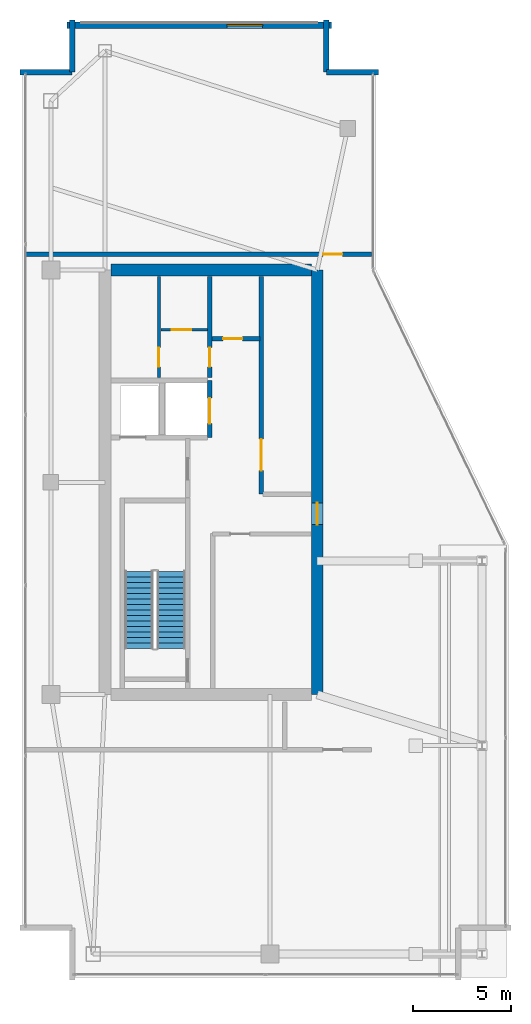
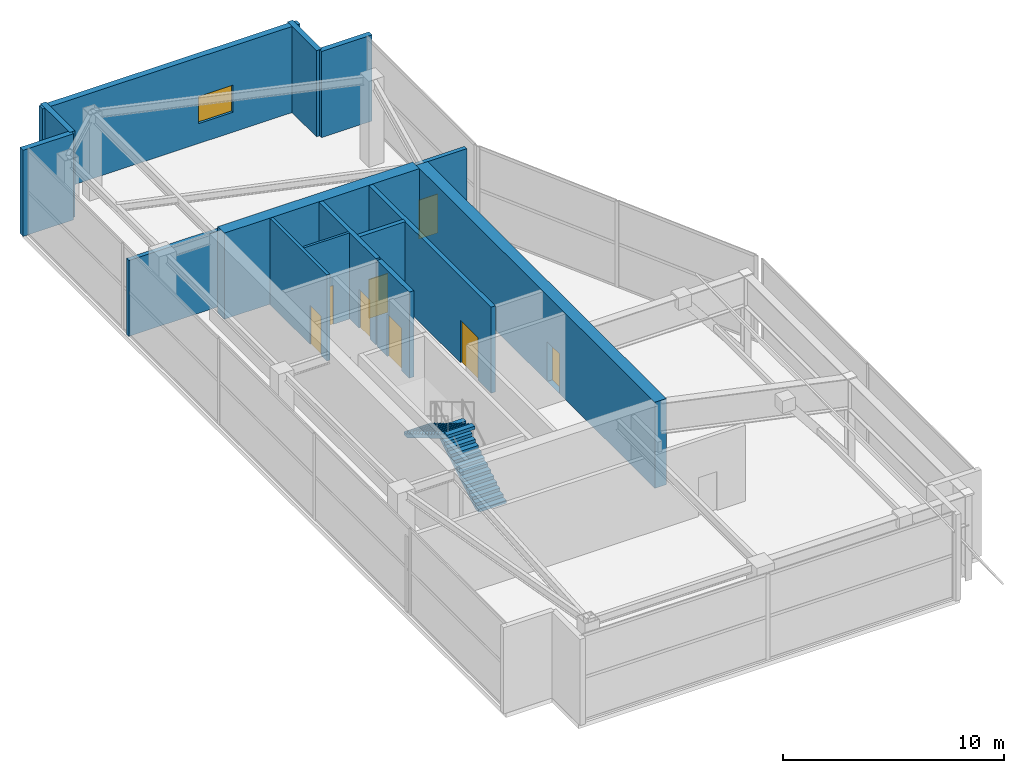
# One storey, part 18 of 20: 14 walls, 8 doors, 2 stair flights, 1 window, 9 openings, 1 element without a shape of its own.
"""IFC4 building model written with IfcOpenShell, lengths in metres."""

from ifc_helpers import new_model, si_unit, direction, frame, frame_2d, origin, place, context, subcontext, project, spatial, polyline, rectangle, outline, extrude, material, layer, layer_set, type_object, element, fill, aggregate, save


model = new_model("IFC4")

# Units and contexts
model_context = context("Model", 3, precision=1e-05, world=origin(), true_north=direction((0.0, 1.0)))
body_context = subcontext(model_context, "Body", "Model", "MODEL_VIEW")
ifc_project = project(units=[si_unit("LENGTHUNIT", "METRE"), si_unit("AREAUNIT", "SQUARE_METRE"), si_unit("VOLUMEUNIT", "CUBIC_METRE"), si_unit("PLANEANGLEUNIT", "RADIAN"), si_unit("MASSUNIT", "GRAM", prefix="KILO")], contexts=[model_context])

# Site, building, storey
site_placement = place(None, origin())
site = spatial("IfcSite", under=ifc_project, at=site_placement, CompositionType="ELEMENT")
building_placement = place(site_placement, origin())
building = spatial("IfcBuilding", under=site, at=building_placement, Name="Calvorn Quay Hotel", CompositionType="ELEMENT")
storey_placement = place(building_placement, frame((0.0, 0.0, 335.5)))
storey = spatial("IfcBuildingStorey", under=building, at=storey_placement, Name="L82", CompositionType="ELEMENT", Elevation=335.5)

# Wall, opening, door
ifc_material_1 = material(Name="Concrete C45", Category="concrete")
ifc_layer_1 = layer(ifc_material_1, 0.60009765625)
ifc_layer_set_1 = layer_set([ifc_layer_1], Name="WL-CORE-600")
wall_type_1 = type_object("IfcWallType", Name="WL-CORE-600", PredefinedType="SHEAR", material=ifc_layer_set_1)
wall_1_placement = place(storey_placement, frame((15.0, 16.800048828125, 0.0), z_axis=(0.0, 0.0, 1.0), x_axis=(0.0, 1.0, 0.0)))
wall_1 = element("IfcWall", 1, at=wall_1_placement, inside=storey, type_object=wall_type_1, Name="West Core Shear Wall E (L82)", PredefinedType="SHEAR", context=body_context, shape_type="SweptSolid", body=[
    extrude(rectangle(XDim=21.599853515625, YDim=0.60009765625, at=frame_2d((10.7998046875, 0.0))), origin(), (0.0, 0.0, 1.0), 4.760009765625),
])
opening_1_placement = place(wall_1_placement, frame((8.64990234375, 0.0, 0.0)))
opening_1 = element("IfcOpeningElement", 2, at=opening_1_placement, cuts=wall_1, Name="Opening D-L82-CW1", PredefinedType="OPENING", context=body_context, shape_type="SweptSolid", body=[
    extrude(rectangle(XDim=1.10009765625, YDim=2.199951171875, at=frame_2d((0.550048828125, 1.10009765625))), frame((0.0, 0.31005859375, 0.0), z_axis=(0.0, -1.0, 0.0), x_axis=(1.0, 0.0, 0.0)), (0.0, 0.0, 1.0), 0.6201171875),
])
ifc_material_2 = material(Name="Smoke-Sealed Steel Class A Fire Door", Category="steel")
door_type_1 = type_object("IfcDoorType", Name="DR-FFLOBBY-1100", OperationType="NOTDEFINED", PredefinedType="DOOR", material=ifc_material_2)
door_1_placement = place(opening_1_placement, origin())
door_1 = element("IfcDoor", 3, at=door_1_placement, inside=storey, type_object=door_type_1, Name="West Core Vestibule Fire Door (L82)", OperationType="SINGLE_SWING_LEFT", OverallHeight=2.199951171875, OverallWidth=1.10009765625, PredefinedType="DOOR", context=body_context, shape_type="SweptSolid", body=[
    extrude(rectangle(XDim=1.10009765625, YDim=2.199951171875, at=frame_2d((0.550048828125, 1.10009765625))), frame((0.0, 0.02490234375, 0.0), z_axis=(0.0, -1.0, 0.0), x_axis=(1.0, 0.0, 0.0)), (0.0, 0.0, 1.0), 0.050048828125),
])
fill(opening_1, door_1)

# Wall
wall_2_placement = place(storey_placement, frame((4.5, 38.39990234375, 0.0), z_axis=(0.0, 0.0, 1.0), x_axis=(1.0, 0.0, 0.0)))
element("IfcWall", 4, at=wall_2_placement, inside=storey, type_object=wall_type_1, Name="West Core Shear Wall N (L82)", PredefinedType="SHEAR", context=body_context, shape_type="SweptSolid", body=[
    extrude(rectangle(XDim=10.199951171875, YDim=0.60009765625, at=frame_2d((5.10009765625, 0.0))), origin(), (0.0, 0.0, 1.0), 4.760009765625),
])

# Wall, opening, door
ifc_material_3 = material(Name="Moisture-Resistant Tile-Backed Partition")
ifc_layer_2 = layer(ifc_material_3, 0.125)
ifc_layer_set_2 = layer_set([ifc_layer_2], Name="WL-ENSUITE-125")
wall_type_2 = type_object("IfcWallType", Name="WL-ENSUITE-125", PredefinedType="PARTITIONING", material=ifc_layer_set_2)
wall_3_placement = place(storey_placement, frame((7.050048828125, 35.35009765625, 0.0), z_axis=(0.0, 0.0, 1.0), x_axis=(1.0, 0.0, 0.0)))
wall_3 = element("IfcWall", 5, at=wall_3_placement, inside=storey, type_object=wall_type_2, Name="Partition Wall L82-WL-CWW-K-H", PredefinedType="PARTITIONING", context=body_context, shape_type="SweptSolid", body=[
    extrude(rectangle(XDim=2.369873046875, YDim=0.125, at=frame_2d((1.18505859375, 0.0))), origin(), (0.0, 0.0, 1.0), 4.760009765625),
])
opening_2_placement = place(wall_3_placement, frame((0.550048828125, 0.0, 0.0)))
opening_2 = element("IfcOpeningElement", 6, at=opening_2_placement, cuts=wall_3, Name="Opening D-L82-CK3", PredefinedType="OPENING", context=body_context, shape_type="SweptSolid", body=[
    extrude(rectangle(XDim=0.97998046875, YDim=2.14990234375, at=frame_2d((0.489990234375, 1.074951171875))), frame((0.0, 0.072509765625, 0.0), z_axis=(0.0, -1.0, 0.0), x_axis=(1.0, 0.0, 0.0)), (0.0, 0.0, 1.0), 0.14501953125),
])
ifc_material_4 = material(Name="Painted Steel Housekeeping/Riser Fire Door", Category="steel")
door_type_2 = type_object("IfcDoorType", Name="DR-SERVICE-980", OperationType="NOTDEFINED", PredefinedType="DOOR", material=ifc_material_4)
door_2_placement = place(opening_2_placement, origin())
door_2 = element("IfcDoor", 7, at=door_2_placement, inside=storey, type_object=door_type_2, Name="Telecom Closet Door (L82)", OperationType="SINGLE_SWING_RIGHT", OverallHeight=2.14990234375, OverallWidth=0.97998046875, PredefinedType="DOOR", context=body_context, shape_type="SweptSolid", body=[
    extrude(rectangle(XDim=0.97998046875, YDim=2.14990234375, at=frame_2d((0.489990234375, 1.074951171875))), frame((0.0, 0.02490234375, 0.0), z_axis=(0.0, -1.0, 0.0), x_axis=(1.0, 0.0, 0.0)), (0.0, 0.0, 1.0), 0.050048828125),
])
fill(opening_2, door_2)

# Walls
ifc_material_5 = material(Name="Concrete C40", Category="concrete")
ifc_layer_3 = layer(ifc_material_5, 0.320068359375)
ifc_layer_set_3 = layer_set([ifc_layer_3], Name="WL-EXT-SPANDREL-320")
wall_type_3 = type_object("IfcWallType", Name="WL-EXT-SPANDREL-320", PredefinedType="SOLIDWALL", material=ifc_layer_set_3)
for number, where, z_axis, x_axis, name in (
    (8, (18.1201171875, 48.449951171875, 0.0), (0.0, 0.0, 1.0), (-1.0, 0.0, 0.0), "Crown Notched Corner Spandrel L82-C5"),
    (9, (15.449951171875, 48.47998046875, 0.0), (0.0, 0.0, 1.0), (0.0, 1.0, 0.0), "Crown Notched Corner Spandrel L82-C6"),
):
    element("IfcWall", number, at=place(storey_placement, frame(where, z_axis=z_axis, x_axis=x_axis)), inside=storey, type_object=wall_type_3, Name=name, PredefinedType="SOLIDWALL", context=body_context, shape_type="SweptSolid", body=[
        extrude(rectangle(XDim=2.64013671875, YDim=0.280029296875, at=frame_2d((1.320068359375, 0.0))), origin(), (0.0, 0.0, 1.0), 4.760009765625),
    ])

# Wall, opening, window
wall_4_placement = place(storey_placement, frame((15.719970703125, 50.85009765625, 0.0), z_axis=(0.0, 0.0, 1.0), x_axis=(-1.0, 0.0, 0.0)))
wall_4 = element("IfcWall", 10, at=wall_4_placement, inside=storey, type_object=wall_type_3, Name="Crown North Louvred Plant Wall (L82)", PredefinedType="SOLIDWALL", context=body_context, shape_type="SweptSolid", body=[
    extrude(rectangle(XDim=13.43994140625, YDim=0.320068359375, at=frame_2d((6.719970703125, 0.0))), origin(), (0.0, 0.0, 1.0), 4.760009765625),
])
opening_3_placement = place(wall_4_placement, frame((3.5, 0.0, 1.10009765625)))
opening_3 = element("IfcOpeningElement", 11, at=opening_3_placement, cuts=wall_4, Name="Opening WPL-L82-1", PredefinedType="OPENING", context=body_context, shape_type="SweptSolid", body=[
    extrude(rectangle(XDim=1.800048828125, YDim=1.5, at=frame_2d((0.89990234375, 0.75))), frame((0.0, 0.169921875, 0.0), z_axis=(0.0, -1.0, 0.0), x_axis=(1.0, 0.0, 0.0)), (0.0, 0.0, 1.0), 0.340087890625),
])
ifc_material_6 = material(Name="Acoustic Weatherproof Aluminium Louvre Unit", Category="aluminium")
window_type = type_object("IfcWindowType", Name="WIN-PLANT-LOUVRE-1800x1500", PartitioningType="SINGLE_PANEL", PredefinedType="WINDOW", material=ifc_material_6)
window_placement = place(opening_3_placement, origin())
window = element("IfcWindow", 12, at=window_placement, inside=storey, type_object=window_type, Name="Crown Plant Acoustic Louvre (L82)", OverallHeight=1.5, OverallWidth=1.800048828125, PartitioningType="SINGLE_PANEL", PredefinedType="WINDOW", context=body_context, shape_type="SweptSolid", body=[
    extrude(rectangle(XDim=1.800048828125, YDim=1.5, at=frame_2d((0.89990234375, 0.75))), frame((0.0, 0.030029296875, 0.0), z_axis=(0.0, -1.0, 0.0), x_axis=(1.0, 0.0, 0.0)), (0.0, 0.0, 1.0), 0.06005859375),
])
fill(opening_3, window)

# Walls
for number, where, z_axis, x_axis, name in (
    (13, (2.550048828125, 51.1201171875, 0.0), (0.0, 0.0, 1.0), (0.0, -1.0, 0.0), "Crown Notched Corner Spandrel L82-C7"),
    (14, (2.52001953125, 48.449951171875, 0.0), (0.0, 0.0, 1.0), (-1.0, 0.0, 0.0), "Crown Notched Corner Spandrel L82-C8"),
):
    element("IfcWall", number, at=place(storey_placement, frame(where, z_axis=z_axis, x_axis=x_axis)), inside=storey, type_object=wall_type_3, Name=name, PredefinedType="SOLIDWALL", context=body_context, shape_type="SweptSolid", body=[
        extrude(rectangle(XDim=2.64013671875, YDim=0.280029296875, at=frame_2d((1.320068359375, 0.0))), origin(), (0.0, 0.0, 1.0), 4.760009765625),
    ])

# Wall, opening, door
ifc_material_7 = material(Name="Double-Stud Acoustic Gypsum Partition")
ifc_layer_4 = layer(ifc_material_7, 0.159912109375)
ifc_layer_set_4 = layer_set([ifc_layer_4], Name="WL-INTERSUITE-160")
wall_type_4 = type_object("IfcWallType", Name="WL-INTERSUITE-160", PredefinedType="PARTITIONING", material=ifc_layer_set_4)
wall_5_placement = place(storey_placement, frame((6.949951171875, 32.919921875, 0.0), z_axis=(0.0, 0.0, 1.0), x_axis=(0.0, 1.0, 0.0)))
wall_5 = element("IfcWall", 15, at=wall_5_placement, inside=storey, type_object=wall_type_4, Name="Partition Wall L82-WL-CWW-K-V", PredefinedType="PARTITIONING", context=body_context, shape_type="SweptSolid", body=[
    extrude(rectangle(XDim=5.16015625, YDim=0.159912109375, at=frame_2d((2.580078125, 0.0))), origin(), (0.0, 0.0, 1.0), 4.760009765625),
])
opening_4_placement = place(wall_5_placement, frame((0.550048828125, 0.0, 0.0)))
opening_4 = element("IfcOpeningElement", 16, at=opening_4_placement, cuts=wall_5, Name="Opening D-L82-CK1", PredefinedType="OPENING", context=body_context, shape_type="SweptSolid", body=[
    extrude(rectangle(XDim=0.97998046875, YDim=2.14990234375, at=frame_2d((0.489990234375, 1.074951171875))), frame((0.0, 0.08984375, 0.0), z_axis=(0.0, -1.0, 0.0), x_axis=(1.0, 0.0, 0.0)), (0.0, 0.0, 1.0), 0.179931640625),
])
door_3_placement = place(opening_4_placement, origin())
door_3 = element("IfcDoor", 17, at=door_3_placement, inside=storey, type_object=door_type_2, Name="Pipe Riser Door (L82)", OperationType="SINGLE_SWING_LEFT", OverallHeight=2.14990234375, OverallWidth=0.97998046875, PredefinedType="DOOR", context=body_context, shape_type="SweptSolid", body=[
    extrude(rectangle(XDim=0.97998046875, YDim=2.14990234375, at=frame_2d((0.489990234375, 1.074951171875))), frame((0.0, 0.02490234375, 0.0), z_axis=(0.0, -1.0, 0.0), x_axis=(1.0, 0.0, 0.0)), (0.0, 0.0, 1.0), 0.050048828125),
])
fill(opening_4, door_3)

ifc_material_8 = material(Name="Autoclaved Aerated Masonry Block", Category="masonry")
ifc_layer_5 = layer(ifc_material_8, 0.219970703125)
ifc_layer_set_5 = layer_set([ifc_layer_5], Name="WL-LOBBY-FIRE-220")
wall_type_5 = type_object("IfcWallType", Name="WL-LOBBY-FIRE-220", PredefinedType="SOLIDWALL", material=ifc_layer_set_5)
wall_6_placement = place(storey_placement, frame((9.5400390625, 32.919921875, 0.0), z_axis=(0.0, 0.0, 1.0), x_axis=(0.0, 1.0, 0.0)))
wall_6 = element("IfcWall", 18, at=wall_6_placement, inside=storey, type_object=wall_type_5, Name="Partition Wall L82-WL-CWW-K-E", PredefinedType="SOLIDWALL", context=body_context, shape_type="SweptSolid", body=[
    extrude(rectangle(XDim=5.16015625, YDim=0.219970703125, at=frame_2d((2.580078125, 0.0))), origin(), (0.0, 0.0, 1.0), 4.760009765625),
])
opening_5_placement = place(wall_6_placement, frame((0.550048828125, 0.0, 0.0)))
opening_5 = element("IfcOpeningElement", 19, at=opening_5_placement, cuts=wall_6, Name="Opening D-L82-CK2", PredefinedType="OPENING", context=body_context, shape_type="SweptSolid", body=[
    extrude(rectangle(XDim=0.97998046875, YDim=2.14990234375, at=frame_2d((0.489990234375, 1.074951171875))), frame((0.0, 0.119873046875, 0.0), z_axis=(0.0, -1.0, 0.0), x_axis=(1.0, 0.0, 0.0)), (0.0, 0.0, 1.0), 0.239990234375),
])
door_4_placement = place(opening_5_placement, origin())
door_4 = element("IfcDoor", 20, at=door_4_placement, inside=storey, type_object=door_type_2, Name="Valet Closet Door (L82)", OperationType="SINGLE_SWING_LEFT", OverallHeight=2.14990234375, OverallWidth=0.97998046875, PredefinedType="DOOR", context=body_context, shape_type="SweptSolid", body=[
    extrude(rectangle(XDim=0.97998046875, YDim=2.14990234375, at=frame_2d((0.489990234375, 1.074951171875))), frame((0.0, 0.02490234375, 0.0), z_axis=(0.0, -1.0, 0.0), x_axis=(1.0, 0.0, 0.0)), (0.0, 0.0, 1.0), 0.050048828125),
])
fill(opening_5, door_4)

wall_7_placement = place(storey_placement, frame((12.14990234375, 27.0, 0.0), z_axis=(0.0, 0.0, 1.0), x_axis=(0.0, 1.0, 0.0)))
wall_7 = element("IfcWall", 21, at=wall_7_placement, inside=storey, type_object=wall_type_5, Name="Partition Wall L82-WL-CWW-OV-W", PredefinedType="SOLIDWALL", context=body_context, shape_type="SweptSolid", body=[
    extrude(rectangle(XDim=11.080078125, YDim=0.219970703125, at=frame_2d((5.5400390625, 0.0))), origin(), (0.0, 0.0, 1.0), 4.760009765625),
])
opening_6_placement = place(wall_7_placement, frame((1.199951171875, 0.0, 0.0)))
opening_6 = element("IfcOpeningElement", 22, at=opening_6_placement, cuts=wall_7, Name="Opening D-L82-OV1", PredefinedType="OPENING", context=body_context, shape_type="SweptSolid", body=[
    extrude(rectangle(XDim=1.60009765625, YDim=2.35009765625, at=frame_2d((0.800048828125, 1.175048828125))), frame((0.0, 0.119873046875, 0.0), z_axis=(0.0, -1.0, 0.0), x_axis=(1.0, 0.0, 0.0)), (0.0, 0.0, 1.0), 0.239990234375),
])
ifc_material_9 = material(Name="Heavy-Duty Steel Acoustic Plant Fire Door", Category="steel")
door_type_3 = type_object("IfcDoorType", Name="DR-PLANT-DBL-1600", OperationType="NOTDEFINED", PredefinedType="DOOR", material=ifc_material_9)
door_5_placement = place(opening_6_placement, origin())
door_5 = element("IfcDoor", 23, at=door_5_placement, inside=storey, type_object=door_type_3, Name="Lift Machine Plant Door (L82)", OperationType="SINGLE_SWING_LEFT", OverallHeight=2.35009765625, OverallWidth=1.60009765625, PredefinedType="DOOR", context=body_context, shape_type="SweptSolid", body=[
    extrude(rectangle(XDim=1.60009765625, YDim=2.35009765625, at=frame_2d((0.800048828125, 1.175048828125))), frame((0.0, 0.02490234375, 0.0), z_axis=(0.0, -1.0, 0.0), x_axis=(1.0, 0.0, 0.0)), (0.0, 0.0, 1.0), 0.050048828125),
])
fill(opening_6, door_5)

wall_8_placement = place(storey_placement, frame((9.659912109375, 34.89990234375, 0.0), z_axis=(0.0, 0.0, 1.0), x_axis=(1.0, 0.0, 0.0)))
wall_8 = element("IfcWall", 24, at=wall_8_placement, inside=storey, type_object=wall_type_5, Name="Partition Wall L82-WL-CWW-OV-H2S", PredefinedType="SOLIDWALL", context=body_context, shape_type="SweptSolid", body=[
    extrude(rectangle(XDim=2.420166015625, YDim=0.219970703125, at=frame_2d((1.2099609375, 0.0))), origin(), (0.0, 0.0, 1.0), 4.760009765625),
])
opening_7_placement = place(wall_8_placement, frame((0.550048828125, 0.0, 0.0)))
opening_7 = element("IfcOpeningElement", 25, at=opening_7_placement, cuts=wall_8, Name="Opening D-L82-OV2", PredefinedType="OPENING", context=body_context, shape_type="SweptSolid", body=[
    extrude(rectangle(XDim=0.97998046875, YDim=2.14990234375, at=frame_2d((0.489990234375, 1.074951171875))), frame((0.0, 0.119873046875, 0.0), z_axis=(0.0, -1.0, 0.0), x_axis=(1.0, 0.0, 0.0)), (0.0, 0.0, 1.0), 0.239990234375),
])
door_6_placement = place(opening_7_placement, origin())
door_6 = element("IfcDoor", 26, at=door_6_placement, inside=storey, type_object=door_type_2, Name="Pressurization Closet Door (L82)", OperationType="SINGLE_SWING_RIGHT", OverallHeight=2.14990234375, OverallWidth=0.97998046875, PredefinedType="DOOR", context=body_context, shape_type="SweptSolid", body=[
    extrude(rectangle(XDim=0.97998046875, YDim=2.14990234375, at=frame_2d((0.489990234375, 1.074951171875))), frame((0.0, 0.02490234375, 0.0), z_axis=(0.0, -1.0, 0.0), x_axis=(1.0, 0.0, 0.0)), (0.0, 0.0, 1.0), 0.050048828125),
])
fill(opening_7, door_6)

wall_9_placement = place(storey_placement, frame((0.080078125, 39.199951171875, 0.0), z_axis=(0.0, 0.0, 1.0), x_axis=(1.0, 0.0, 0.0)))
wall_9 = element("IfcWall", 27, at=wall_9_placement, inside=storey, type_object=wall_type_5, Name="Partition Wall L82-WL-CR-N", PredefinedType="SOLIDWALL", context=body_context, shape_type="SweptSolid", body=[
    extrude(rectangle(XDim=17.669921875, YDim=0.219970703125, at=frame_2d((8.8349609375, 0.0))), origin(), (0.0, 0.0, 1.0), 4.18994140625),
])
opening_8_placement = place(wall_9_placement, frame((15.219970703125, 0.0, 0.0)))
opening_8 = element("IfcOpeningElement", 28, at=opening_8_placement, cuts=wall_9, Name="Opening D-L82-C2", PredefinedType="OPENING", context=body_context, shape_type="SweptSolid", body=[
    extrude(rectangle(XDim=0.97998046875, YDim=2.14990234375, at=frame_2d((0.489990234375, 1.074951171875))), frame((0.0, 0.119873046875, 0.0), z_axis=(0.0, -1.0, 0.0), x_axis=(1.0, 0.0, 0.0)), (0.0, 0.0, 1.0), 0.239990234375),
])
door_7_placement = place(opening_8_placement, origin())
door_7 = element("IfcDoor", 29, at=door_7_placement, inside=storey, type_object=door_type_2, Name="Pressurization Plant Room Door", OperationType="SINGLE_SWING_RIGHT", OverallHeight=2.14990234375, OverallWidth=0.97998046875, PredefinedType="DOOR", context=body_context, shape_type="SweptSolid", body=[
    extrude(rectangle(XDim=0.97998046875, YDim=2.14990234375, at=frame_2d((0.489990234375, 1.074951171875))), frame((0.0, 0.02490234375, 0.0), z_axis=(0.0, -1.0, 0.0), x_axis=(1.0, 0.0, 0.0)), (0.0, 0.0, 1.0), 0.050048828125),
])
fill(opening_8, door_7)

ifc_material_10 = material(Name="Concrete C40", Category="concrete")
ifc_layer_6 = layer(ifc_material_10, 0.239990234375)
ifc_layer_set_6 = layer_set([ifc_layer_6], Name="WL-SHAFT-240")
wall_type_6 = type_object("IfcWallType", Name="WL-SHAFT-240", PredefinedType="SOLIDWALL", material=ifc_layer_set_6)
wall_10_placement = place(storey_placement, frame((9.5400390625, 29.8798828125, 0.0), z_axis=(0.0, 0.0, 1.0), x_axis=(0.0, 1.0, 0.0)))
wall_10 = element("IfcWall", 30, at=wall_10_placement, inside=storey, type_object=wall_type_6, Name="Partition Wall L82-WL-CWW-SLW-E", PredefinedType="SOLIDWALL", context=body_context, shape_type="SweptSolid", body=[
    extrude(rectangle(XDim=2.900146484375, YDim=0.239990234375, at=frame_2d((1.4501953125, 0.0))), origin(), (0.0, 0.0, 1.0), 4.760009765625),
])
opening_9_placement = place(wall_10_placement, frame((0.699951171875, 0.0, 0.0)))
opening_9 = element("IfcOpeningElement", 31, at=opening_9_placement, cuts=wall_10, Name="Opening LD-L82-SLW1", PredefinedType="OPENING", context=body_context, shape_type="SweptSolid", body=[
    extrude(rectangle(XDim=1.300048828125, YDim=2.35009765625, at=frame_2d((0.64990234375, 1.175048828125))), frame((0.0, 0.1298828125, 0.0), z_axis=(0.0, -1.0, 0.0), x_axis=(1.0, 0.0, 0.0)), (0.0, 0.0, 1.0), 0.260009765625),
])
ifc_material_11 = material(Name="Champagne-Bronze Sliding Express Lift Landing Door")
door_type_4 = type_object("IfcDoorType", Name="DR-LIFT-SHUTTLE-1300", OperationType="NOTDEFINED", PredefinedType="DOOR", material=ifc_material_11)
door_8_placement = place(opening_9_placement, origin())
door_8 = element("IfcDoor", 32, at=door_8_placement, inside=storey, type_object=door_type_4, Name="Service Lift SL-W1 Landing Door (L82)", OperationType="DOUBLE_DOOR_SLIDING", OverallHeight=2.35009765625, OverallWidth=1.300048828125, PredefinedType="DOOR", context=body_context, shape_type="SweptSolid", body=[
    extrude(rectangle(XDim=1.300048828125, YDim=2.35009765625, at=frame_2d((0.64990234375, 1.175048828125))), frame((0.0, 0.02490234375, 0.0), z_axis=(0.0, -1.0, 0.0), x_axis=(1.0, 0.0, 0.0)), (0.0, 0.0, 1.0), 0.050048828125),
])
fill(opening_9, door_8)

# Stair, stair flights
ifc_material_12 = material(Name="Concrete C40", Category="concrete")
stair_type = type_object("IfcStairType", Name="STR-CORE-DOGLEG", PredefinedType="HALF_TURN_STAIR", material=ifc_material_12)
stair_placement = place(storey_placement, origin())
stair = element("IfcStair", 33, at=stair_placement, inside=storey, type_object=stair_type, Name="L82 ST-W", PredefinedType="HALF_TURN_STAIR")
ifc_material_13 = material(Name="Concrete C40", Category="concrete")
stair_flight_type = type_object("IfcStairFlightType", Name="FLT-CORE-1550", PredefinedType="STRAIGHT", material=ifc_material_13)
stair_flight_1_placement = place(storey_placement, frame((7.574951171875, 19.14990234375, 0.0), z_axis=(0.0, 0.0, 1.0), x_axis=(0.0, 1.0, 0.0)))
stair_flight_1 = element("IfcStairFlight", 34, at=stair_flight_1_placement, type_object=stair_flight_type, Name="ST-W flight 1", NumberOfRisers=15, NumberOfTreads=14, PredefinedType="STRAIGHT", RiserHeight=0.166666667, TreadLength=0.28, context=body_context, shape_type="SweptSolid", body=[
    extrude(outline(polyline([(0.0, 0.0), (0.0, 0.166748046875), (0.280029296875, 0.166748046875), (0.280029296875, 0.333251953125), (0.56005859375, 0.333251953125), (0.56005859375, 0.5), (0.840087890625, 0.5), (0.840087890625, 0.666748046875), (1.1201171875, 0.666748046875), (1.1201171875, 0.833251953125), (1.39990234375, 0.833251953125), (1.39990234375, 1.0), (1.679931640625, 1.0), (1.679931640625, 1.166748046875), (1.9599609375, 1.166748046875), (1.9599609375, 1.333251953125), (2.239990234375, 1.333251953125), (2.239990234375, 1.5), (2.52001953125, 1.5), (2.52001953125, 1.666748046875), (2.800048828125, 1.666748046875), (2.800048828125, 1.833251953125), (3.080078125, 1.833251953125), (3.080078125, 2.0), (3.360107421875, 2.0), (3.360107421875, 2.166748046875), (3.639892578125, 2.166748046875), (3.639892578125, 2.333251953125), (3.919921875, 2.333251953125), (3.919921875, 2.5), (3.919921875, 2.158935546875), (0.29296875, 0.0), (0.0, 0.0)])), frame((0.0, 0.72509765625, 0.0), z_axis=(0.0, -1.0, 0.0), x_axis=(1.0, 0.0, 0.0)), (0.0, 0.0, 1.0), 1.449951171875),
])
stair_flight_2_placement = place(storey_placement, frame((5.925048828125, 23.070068359375, 2.5), z_axis=(0.0, 0.0, 1.0), x_axis=(0.0, -1.0, 0.0)))
stair_flight_2 = element("IfcStairFlight", 35, at=stair_flight_2_placement, type_object=stair_flight_type, Name="ST-W flight 2", NumberOfRisers=15, NumberOfTreads=14, PredefinedType="STRAIGHT", RiserHeight=0.166666667, TreadLength=0.28, context=body_context, shape_type="SweptSolid", body=[
    extrude(outline(polyline([(0.0, 0.0), (0.0, 0.166748046875), (0.280029296875, 0.166748046875), (0.280029296875, 0.333251953125), (0.56005859375, 0.333251953125), (0.56005859375, 0.5), (0.840087890625, 0.5), (0.840087890625, 0.666748046875), (1.1201171875, 0.666748046875), (1.1201171875, 0.833251953125), (1.39990234375, 0.833251953125), (1.39990234375, 1.0), (1.679931640625, 1.0), (1.679931640625, 1.166748046875), (1.9599609375, 1.166748046875), (1.9599609375, 1.333251953125), (2.239990234375, 1.333251953125), (2.239990234375, 1.5), (2.52001953125, 1.5), (2.52001953125, 1.666748046875), (2.800048828125, 1.666748046875), (2.800048828125, 1.833251953125), (3.080078125, 1.833251953125), (3.080078125, 2.0), (3.360107421875, 2.0), (3.360107421875, 2.166748046875), (3.639892578125, 2.166748046875), (3.639892578125, 2.333251953125), (3.919921875, 2.333251953125), (3.919921875, 2.5), (3.919921875, 2.158935546875), (0.29296875, 0.0), (0.0, 0.0)])), frame((0.0, 0.72509765625, 0.0), z_axis=(0.0, -1.0, 0.0), x_axis=(1.0, 0.0, 0.0)), (0.0, 0.0, 1.0), 1.449951171875),
])
aggregate(stair, [stair_flight_1, stair_flight_2])

save(model, "model.ifc")
